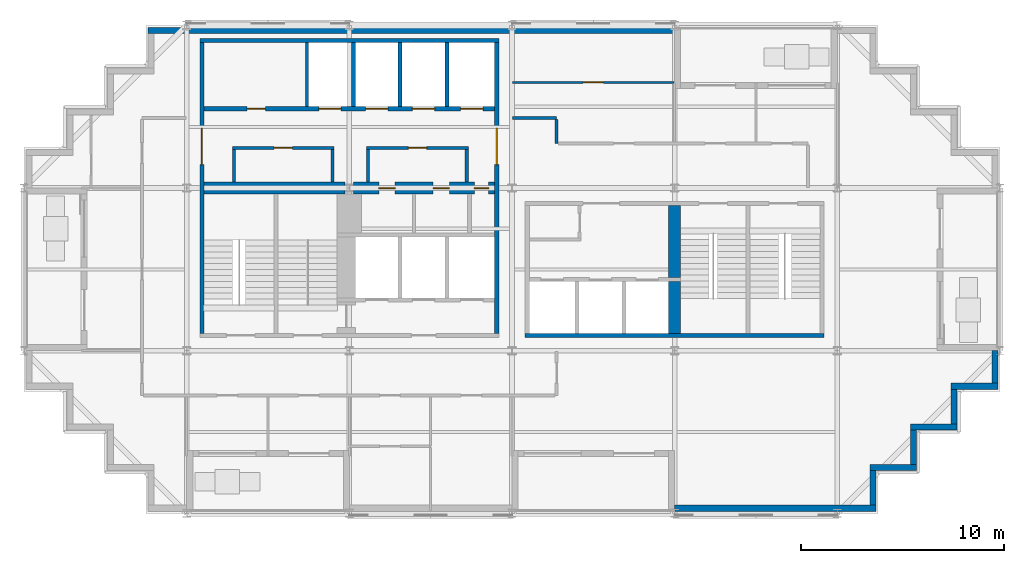
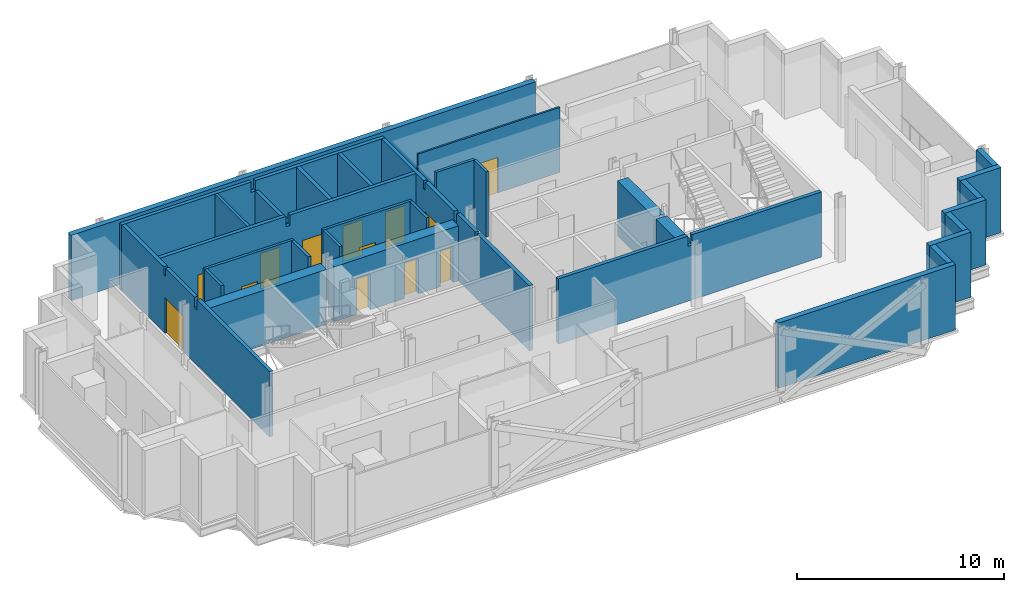
# One storey, part 4 of 8: 31 walls, 13 doors, 13 openings.
"""IFC4 building model written with IfcOpenShell, lengths in metres."""

from ifc_helpers import new_model, si_unit, direction, frame, frame_2d, origin, place, context, subcontext, project, spatial, polyline, rectangle, outline, extrude, material, layer, layer_set, type_object, element, fill, save


model = new_model("IFC4")

# Units and contexts
model_context = context("Model", 3, precision=1e-05, world=origin(), true_north=direction((0.0, 1.0)))
body_context = subcontext(model_context, "Body", "Model", "MODEL_VIEW")
ifc_project = project(units=[si_unit("LENGTHUNIT", "METRE"), si_unit("AREAUNIT", "SQUARE_METRE"), si_unit("VOLUMEUNIT", "CUBIC_METRE"), si_unit("PLANEANGLEUNIT", "RADIAN"), si_unit("MASSUNIT", "GRAM", prefix="KILO")], contexts=[model_context])

# Site, building, storey
site_placement = place(None, origin())
site = spatial("IfcSite", under=ifc_project, at=site_placement, CompositionType="ELEMENT")
building_placement = place(site_placement, origin())
building = spatial("IfcBuilding", under=site, at=building_placement, Name="Immortelle Media Tower", CompositionType="ELEMENT")
storey_placement = place(building_placement, frame((0.0, 0.0, 209.0)))
storey = spatial("IfcBuildingStorey", under=building, at=storey_placement, Name="L44", CompositionType="ELEMENT", Elevation=209.0)

# Wall, openings, doors
ifc_material_1 = material(Name="Fire-rated masonry blockwork", Category="masonry")
ifc_layer_1 = layer(ifc_material_1, 0.60009765625)
ifc_layer_set_1 = layer_set([ifc_layer_1], Name="Fire-rated masonry blockwork")
wall_type_1 = type_object("IfcWallType", Name="Core grid-line wall 600", PredefinedType="PARTITIONING", material=ifc_layer_set_1)
wall_1_placement = place(storey_placement, frame((16.20703125, 16.0, 0.0), z_axis=(0.0, 0.0, 1.0), x_axis=(1.0, 0.0, 0.0)))
wall_1 = element("IfcWall", 1, at=wall_1_placement, inside=storey, type_object=wall_type_1, Name="Core grid-line wall SW", PredefinedType="PARTITIONING", context=body_context, shape_type="SweptSolid", body=[
    extrude(rectangle(XDim=6.94287109375, YDim=0.60009765625, at=frame_2d((3.471435546875, 0.0))), origin(), (0.0, 0.0, 1.0), 3.241943359375),
])
opening_1_placement = place(wall_1_placement, frame((2.04296875, 0.0, 0.0), z_axis=(0.0, 0.0, 1.0), x_axis=(-1.0, 0.0, 0.0)))
opening_1 = element("IfcOpeningElement", 2, at=opening_1_placement, cuts=wall_1, Name="Opening O3-K010", PredefinedType="OPENING", context=body_context, shape_type="SweptSolid", body=[
    extrude(rectangle(XDim=0.800048828125, YDim=2.10009765625, at=frame_2d((0.39990234375, 1.050048828125))), frame((0.0, 0.31005859375, 0.0), z_axis=(0.0, -1.0, 0.0), x_axis=(1.0, 0.0, 0.0)), (0.0, 0.0, 1.0), 0.6201171875),
])
opening_2_placement = place(wall_1_placement, frame((3.91796875, 0.0, 0.0)))
opening_2 = element("IfcOpeningElement", 3, at=opening_2_placement, cuts=wall_1, Name="Opening O3-K015", PredefinedType="OPENING", context=body_context, shape_type="SweptSolid", body=[
    extrude(rectangle(XDim=0.800048828125, YDim=2.10009765625, at=frame_2d((0.39990234375, 1.050048828125))), frame((0.0, 0.31005859375, 0.0), z_axis=(0.0, -1.0, 0.0), x_axis=(1.0, 0.0, 0.0)), (0.0, 0.0, 1.0), 0.6201171875),
])
opening_3_placement = place(wall_1_placement, frame((6.64306640625, 0.0, 0.0), z_axis=(0.0, 0.0, 1.0), x_axis=(-1.0, 0.0, 0.0)))
opening_3 = element("IfcOpeningElement", 4, at=opening_3_placement, cuts=wall_1, Name="Opening O3-K018", PredefinedType="OPENING", context=body_context, shape_type="SweptSolid", body=[
    extrude(rectangle(XDim=0.699951171875, YDim=2.10009765625, at=frame_2d((0.35009765625, 1.050048828125))), frame((0.0, 0.31005859375, 0.0), z_axis=(0.0, -1.0, 0.0), x_axis=(1.0, 0.0, 0.0)), (0.0, 0.0, 1.0), 0.6201171875),
])
ifc_material_2 = material(Name="Galvanised steel door leaf and frame ASTM A653", Category="steel")
door_type_1 = type_object("IfcDoorType", Name="Service door 700 x 2100", OperationType="NOTDEFINED", PredefinedType="NOTDEFINED", material=ifc_material_2)
door_1_placement = place(opening_3_placement, origin())
door_1 = element("IfcDoor", 5, at=door_1_placement, inside=storey, type_object=door_type_1, Name="Service O3-K018", OperationType="SINGLE_SWING_LEFT", OverallHeight=2.10009765625, OverallWidth=0.699951171875, PredefinedType="NOTDEFINED", context=body_context, shape_type="SweptSolid", body=[
    extrude(rectangle(XDim=0.699951171875, YDim=2.10009765625, at=frame_2d((0.35009765625, 1.050048828125))), frame((0.0, 0.02490234375, 0.0), z_axis=(0.0, -1.0, 0.0), x_axis=(1.0, 0.0, 0.0)), (0.0, 0.0, 1.0), 0.050048828125),
])
fill(opening_3, door_1)
ifc_material_3 = material(Name="Timber", Category="wood")
door_type_2 = type_object("IfcDoorType", Name="Toilet door 800 x 2100", OperationType="NOTDEFINED", PredefinedType="NOTDEFINED", material=ifc_material_3)
door_2_placement = place(opening_1_placement, origin())
door_2 = element("IfcDoor", 6, at=door_2_placement, inside=storey, type_object=door_type_2, Name="Toilet O3-K010", OperationType="SINGLE_SWING_LEFT", OverallHeight=2.10009765625, OverallWidth=0.800048828125, PredefinedType="NOTDEFINED", context=body_context, shape_type="SweptSolid", body=[
    extrude(rectangle(XDim=0.800048828125, YDim=2.10009765625, at=frame_2d((0.39990234375, 1.050048828125))), frame((0.0, 0.02490234375, 0.0), z_axis=(0.0, -1.0, 0.0), x_axis=(1.0, 0.0, 0.0)), (0.0, 0.0, 1.0), 0.050048828125),
])
fill(opening_1, door_2)
door_3_placement = place(opening_2_placement, origin())
door_3 = element("IfcDoor", 7, at=door_3_placement, inside=storey, type_object=door_type_2, Name="Toilet O3-K015", OperationType="SINGLE_SWING_RIGHT", OverallHeight=2.10009765625, OverallWidth=0.800048828125, PredefinedType="NOTDEFINED", context=body_context, shape_type="SweptSolid", body=[
    extrude(rectangle(XDim=0.800048828125, YDim=2.10009765625, at=frame_2d((0.39990234375, 1.050048828125))), frame((0.0, 0.02490234375, 0.0), z_axis=(0.0, -1.0, 0.0), x_axis=(1.0, 0.0, 0.0)), (0.0, 0.0, 1.0), 0.050048828125),
])
fill(opening_2, door_3)

# Wall
ifc_material_4 = material(Name="Fire-rated gypsum board", Category="gypsum")
ifc_layer_2 = layer(ifc_material_4, 0.02490234375)
ifc_material_5 = material(Name="Steel ASTM A653 SS Gr 50 stud frame with mineral wool", Category="steel")
ifc_layer_3 = layer(ifc_material_5, 0.10009765625)
ifc_layer_4 = layer(ifc_material_4, 0.02490234375)
ifc_layer_set_2 = layer_set([ifc_layer_2, ifc_layer_3, ifc_layer_4], Name="Steel ASTM A653 SS Gr 50 stud frame with mineral wool")
wall_type_2 = type_object("IfcWallType", Name="Core partition 150", PredefinedType="PARTITIONING", material=ifc_layer_set_2)
wall_2_placement = place(storey_placement, frame((10.324951171875, 16.300048828125, 0.0), z_axis=(0.0, 0.0, 1.0), x_axis=(0.0, 1.0, 0.0)))
element("IfcWall", 8, at=wall_2_placement, inside=storey, type_object=wall_type_2, Name="Core partition SW", PredefinedType="PARTITIONING", context=body_context, shape_type="SweptSolid", body=[
    extrude(rectangle(XDim=1.599853515625, YDim=0.14990234375, at=frame_2d((0.7998046875, 0.0))), origin(), (0.0, 0.0, 1.0), 3.85009765625),
])

# Wall, opening, door
wall_3_placement = place(storey_placement, frame((10.25, 17.97509765625, 0.0), z_axis=(0.0, 0.0, 1.0), x_axis=(1.0, 0.0, 0.0)))
wall_3 = element("IfcWall", 9, at=wall_3_placement, inside=storey, type_object=wall_type_2, Name="Core partition SW", PredefinedType="PARTITIONING", context=body_context, shape_type="SweptSolid", body=[
    extrude(rectangle(XDim=5.0, YDim=0.14990234375, at=frame_2d((2.5, 0.0))), origin(), (0.0, 0.0, 1.0), 3.85009765625),
])
opening_4_placement = place(wall_3_placement, frame((2.949951171875, 0.0, 0.0), z_axis=(0.0, 0.0, 1.0), x_axis=(-1.0, 0.0, 0.0)))
opening_4 = element("IfcOpeningElement", 10, at=opening_4_placement, cuts=wall_3, Name="Opening O3-K004", PredefinedType="OPENING", context=body_context, shape_type="SweptSolid", body=[
    extrude(rectangle(XDim=0.89990234375, YDim=2.10009765625, at=frame_2d((0.449951171875, 1.050048828125))), frame((0.0, 0.0849609375, 0.0), z_axis=(0.0, -1.0, 0.0), x_axis=(1.0, 0.0, 0.0)), (0.0, 0.0, 1.0), 0.169921875),
])
door_type_3 = type_object("IfcDoorType", Name="Room door 900 x 2100", OperationType="NOTDEFINED", PredefinedType="NOTDEFINED", material=ifc_material_3)
door_4_placement = place(opening_4_placement, origin())
door_4 = element("IfcDoor", 11, at=door_4_placement, inside=storey, type_object=door_type_3, Name="Room O3-K004", OperationType="SINGLE_SWING_RIGHT", OverallHeight=2.10009765625, OverallWidth=0.89990234375, PredefinedType="NOTDEFINED", context=body_context, shape_type="SweptSolid", body=[
    extrude(rectangle(XDim=0.89990234375, YDim=2.10009765625, at=frame_2d((0.449951171875, 1.050048828125))), frame((0.0, 0.02490234375, 0.0), z_axis=(0.0, -1.0, 0.0), x_axis=(1.0, 0.0, 0.0)), (0.0, 0.0, 1.0), 0.050048828125),
])
fill(opening_4, door_4)

# Walls
wall_4_placement = place(storey_placement, frame((13.925048828125, 20.0, 0.0), z_axis=(0.0, 0.0, 1.0), x_axis=(0.0, 1.0, 0.0)))
element("IfcWall", 12, at=wall_4_placement, inside=storey, type_object=wall_type_2, Name="Core partition SW", PredefinedType="PARTITIONING", context=body_context, shape_type="SweptSolid", body=[
    extrude(rectangle(XDim=3.14990234375, YDim=0.14990234375, at=frame_2d((1.574951171875, 0.0))), origin(), (0.0, 0.0, 1.0), 3.85009765625),
])
for number, where, z_axis, x_axis, name in (
    (13, (15.175048828125, 16.300048828125, 0.0), (0.0, 0.0, 1.0), (0.0, 1.0, 0.0), "Core partition SW"),
    (14, (16.925048828125, 16.300048828125, 0.0), (0.0, 0.0, 1.0), (0.0, 1.0, 0.0), "Core partition SW"),
):
    element("IfcWall", number, at=place(storey_placement, frame(where, z_axis=z_axis, x_axis=x_axis)), inside=storey, type_object=wall_type_2, Name=name, PredefinedType="PARTITIONING", context=body_context, shape_type="SweptSolid", body=[
        extrude(rectangle(XDim=1.599853515625, YDim=0.14990234375, at=frame_2d((0.7998046875, 0.0))), origin(), (0.0, 0.0, 1.0), 3.85009765625),
    ])

# Wall, opening, door
wall_5_placement = place(storey_placement, frame((16.85009765625, 17.97509765625, 0.0), z_axis=(0.0, 0.0, 1.0), x_axis=(1.0, 0.0, 0.0)))
wall_5 = element("IfcWall", 15, at=wall_5_placement, inside=storey, type_object=wall_type_2, Name="Core partition SW", PredefinedType="PARTITIONING", context=body_context, shape_type="SweptSolid", body=[
    extrude(rectangle(XDim=5.0, YDim=0.14990234375, at=frame_2d((2.5, 0.0))), origin(), (0.0, 0.0, 1.0), 3.85009765625),
])
opening_5_placement = place(wall_5_placement, frame((2.949951171875, 0.0, 0.0), z_axis=(0.0, 0.0, 1.0), x_axis=(-1.0, 0.0, 0.0)))
opening_5 = element("IfcOpeningElement", 16, at=opening_5_placement, cuts=wall_5, Name="Opening O3-K011", PredefinedType="OPENING", context=body_context, shape_type="SweptSolid", body=[
    extrude(rectangle(XDim=0.89990234375, YDim=2.10009765625, at=frame_2d((0.449951171875, 1.050048828125))), frame((0.0, 0.0849609375, 0.0), z_axis=(0.0, -1.0, 0.0), x_axis=(1.0, 0.0, 0.0)), (0.0, 0.0, 1.0), 0.169921875),
])
door_5_placement = place(opening_5_placement, origin())
door_5 = element("IfcDoor", 17, at=door_5_placement, inside=storey, type_object=door_type_3, Name="Room O3-K011", OperationType="SINGLE_SWING_LEFT", OverallHeight=2.10009765625, OverallWidth=0.89990234375, PredefinedType="NOTDEFINED", context=body_context, shape_type="SweptSolid", body=[
    extrude(rectangle(XDim=0.89990234375, YDim=2.10009765625, at=frame_2d((0.449951171875, 1.050048828125))), frame((0.0, 0.02490234375, 0.0), z_axis=(0.0, -1.0, 0.0), x_axis=(1.0, 0.0, 0.0)), (0.0, 0.0, 1.0), 0.050048828125),
])
fill(opening_5, door_5)

# Walls
wall_6_placement = place(storey_placement, frame((21.77490234375, 16.300048828125, 0.0), z_axis=(0.0, 0.0, 1.0), x_axis=(0.0, 1.0, 0.0)))
element("IfcWall", 18, at=wall_6_placement, inside=storey, type_object=wall_type_2, Name="Core partition SW", PredefinedType="PARTITIONING", context=body_context, shape_type="SweptSolid", body=[
    extrude(rectangle(XDim=1.599853515625, YDim=0.14990234375, at=frame_2d((0.7998046875, 0.0))), origin(), (0.0, 0.0, 1.0), 3.85009765625),
])
ifc_layer_5 = layer(ifc_material_4, 0.03759765625)
ifc_layer_6 = layer(ifc_material_5, 0.125)
ifc_layer_7 = layer(ifc_material_4, 0.03759765625)
ifc_layer_set_3 = layer_set([ifc_layer_5, ifc_layer_6, ifc_layer_7], Name="Steel ASTM A653 SS Gr 50 stud frame with mineral wool")
wall_type_3 = type_object("IfcWallType", Name="Core shaft wall 200", PredefinedType="PARTITIONING", material=ifc_layer_set_3)
wall_7_placement = place(storey_placement, frame((8.64990234375, 23.25, 0.0), z_axis=(0.0, 0.0, 1.0), x_axis=(1.0, 0.0, 0.0)))
element("IfcWall", 19, at=wall_7_placement, inside=storey, type_object=wall_type_3, Name="Core shaft wall SW", PredefinedType="PARTITIONING", context=body_context, shape_type="SweptSolid", body=[
    extrude(outline(polyline([(0.0, 0.0), (14.7001953125, 0.0), (14.699951171875, 3.85009765625), (7.468994140625, 3.85009765625), (7.468017578125, 3.241943359375), (7.23193359375, 3.241943359375), (7.23095703125, 3.85009765625), (0.0, 3.85009765625), (0.0, 0.0)])), frame((0.0, 0.10009765625, 0.0), z_axis=(0.0, -1.0, 0.0), x_axis=(1.0, 0.0, 0.0)), (0.0, 0.0, 1.0), 0.199951171875),
])

# Wall, openings, doors
wall_8_placement = place(storey_placement, frame((8.85009765625, 19.89990234375, 0.0), z_axis=(0.0, 0.0, 1.0), x_axis=(1.0, 0.0, 0.0)))
wall_8 = element("IfcWall", 20, at=wall_8_placement, inside=storey, type_object=wall_type_3, Name="Core shaft wall SW", PredefinedType="PARTITIONING", context=body_context, shape_type="SweptSolid", body=[
    extrude(outline(polyline([(0.0, 0.0), (14.2998046875, 0.0), (14.300048828125, 3.85009765625), (7.26904296875, 3.85009765625), (7.26806640625, 3.241943359375), (7.031982421875, 3.241943359375), (7.031005859375, 3.85009765625), (0.0, 3.85009765625), (0.0, 0.0)])), frame((0.0, 0.10009765625, 0.0), z_axis=(0.0, -1.0, 0.0), x_axis=(1.0, 0.0, 0.0)), (0.0, 0.0, 1.0), 0.199951171875),
])
opening_6_placement = place(wall_8_placement, frame((2.125, 0.0, 0.0)))
opening_6 = element("IfcOpeningElement", 21, at=opening_6_placement, cuts=wall_8, Name="Opening O3-K003", PredefinedType="OPENING", context=body_context, shape_type="SweptSolid", body=[
    extrude(rectangle(XDim=0.89990234375, YDim=2.10009765625, at=frame_2d((0.449951171875, 1.050048828125))), frame((0.0, 0.10986328125, 0.0), z_axis=(0.0, -1.0, 0.0), x_axis=(1.0, 0.0, 0.0)), (0.0, 0.0, 1.0), 0.219970703125),
])
opening_7_placement = place(wall_8_placement, frame((5.64990234375, 0.0, 0.0)))
opening_7 = element("IfcOpeningElement", 22, at=opening_7_placement, cuts=wall_8, Name="Opening LD", PredefinedType="OPENING", context=body_context, shape_type="SweptSolid", body=[
    extrude(rectangle(XDim=1.10009765625, YDim=2.10009765625, at=frame_2d((0.550048828125, 1.050048828125))), frame((0.0, 0.10986328125, 0.0), z_axis=(0.0, -1.0, 0.0), x_axis=(1.0, 0.0, 0.0)), (0.0, 0.0, 1.0), 0.219970703125),
])
opening_8_placement = place(wall_8_placement, frame((7.949951171875, 0.0, 0.0)))
opening_8 = element("IfcOpeningElement", 23, at=opening_8_placement, cuts=wall_8, Name="Opening LD", PredefinedType="OPENING", context=body_context, shape_type="SweptSolid", body=[
    extrude(rectangle(XDim=1.10009765625, YDim=2.10009765625, at=frame_2d((0.550048828125, 1.050048828125))), frame((0.0, 0.10986328125, 0.0), z_axis=(0.0, -1.0, 0.0), x_axis=(1.0, 0.0, 0.0)), (0.0, 0.0, 1.0), 0.219970703125),
])
opening_9_placement = place(wall_8_placement, frame((10.25, 0.0, 0.0)))
opening_9 = element("IfcOpeningElement", 24, at=opening_9_placement, cuts=wall_8, Name="Opening LD", PredefinedType="OPENING", context=body_context, shape_type="SweptSolid", body=[
    extrude(rectangle(XDim=1.10009765625, YDim=2.10009765625, at=frame_2d((0.550048828125, 1.050048828125))), frame((0.0, 0.10986328125, 0.0), z_axis=(0.0, -1.0, 0.0), x_axis=(1.0, 0.0, 0.0)), (0.0, 0.0, 1.0), 0.219970703125),
])
opening_10_placement = place(wall_8_placement, frame((12.625, 0.0, 0.0)))
opening_10 = element("IfcOpeningElement", 25, at=opening_10_placement, cuts=wall_8, Name="Opening LD", PredefinedType="OPENING", context=body_context, shape_type="SweptSolid", body=[
    extrude(rectangle(XDim=1.10009765625, YDim=2.10009765625, at=frame_2d((0.550048828125, 1.050048828125))), frame((0.0, 0.10986328125, 0.0), z_axis=(0.0, -1.0, 0.0), x_axis=(1.0, 0.0, 0.0)), (0.0, 0.0, 1.0), 0.219970703125),
])
ifc_material_6 = material(Name="Stainless steel AISI 304", Category="steel")
door_type_4 = type_object("IfcDoorType", Name="Landing door 1100 x 2100", OperationType="SLIDING_TO_LEFT", PredefinedType="NOTDEFINED", material=ifc_material_6)
door_6_placement = place(opening_7_placement, origin())
door_6 = element("IfcDoor", 26, at=door_6_placement, inside=storey, type_object=door_type_4, Name="Landing door HR1 L44", OperationType="SLIDING_TO_LEFT", OverallHeight=2.10009765625, OverallWidth=1.10009765625, PredefinedType="NOTDEFINED", context=body_context, shape_type="SweptSolid", body=[
    extrude(rectangle(XDim=1.10009765625, YDim=2.10009765625, at=frame_2d((0.550048828125, 1.050048828125))), frame((0.0, 0.02490234375, 0.0), z_axis=(0.0, -1.0, 0.0), x_axis=(1.0, 0.0, 0.0)), (0.0, 0.0, 1.0), 0.050048828125),
])
fill(opening_7, door_6)
door_7_placement = place(opening_8_placement, origin())
door_7 = element("IfcDoor", 27, at=door_7_placement, inside=storey, type_object=door_type_4, Name="Landing door HR2 L44", OperationType="SLIDING_TO_LEFT", OverallHeight=2.10009765625, OverallWidth=1.10009765625, PredefinedType="NOTDEFINED", context=body_context, shape_type="SweptSolid", body=[
    extrude(rectangle(XDim=1.10009765625, YDim=2.10009765625, at=frame_2d((0.550048828125, 1.050048828125))), frame((0.0, 0.02490234375, 0.0), z_axis=(0.0, -1.0, 0.0), x_axis=(1.0, 0.0, 0.0)), (0.0, 0.0, 1.0), 0.050048828125),
])
fill(opening_8, door_7)
door_8_placement = place(opening_9_placement, origin())
door_8 = element("IfcDoor", 28, at=door_8_placement, inside=storey, type_object=door_type_4, Name="Landing door HR3 L44", OperationType="SLIDING_TO_LEFT", OverallHeight=2.10009765625, OverallWidth=1.10009765625, PredefinedType="NOTDEFINED", context=body_context, shape_type="SweptSolid", body=[
    extrude(rectangle(XDim=1.10009765625, YDim=2.10009765625, at=frame_2d((0.550048828125, 1.050048828125))), frame((0.0, 0.02490234375, 0.0), z_axis=(0.0, -1.0, 0.0), x_axis=(1.0, 0.0, 0.0)), (0.0, 0.0, 1.0), 0.050048828125),
])
fill(opening_9, door_8)
door_9_placement = place(opening_10_placement, origin())
door_9 = element("IfcDoor", 29, at=door_9_placement, inside=storey, type_object=door_type_4, Name="Landing door HR4 L44", OperationType="SLIDING_TO_LEFT", OverallHeight=2.10009765625, OverallWidth=1.10009765625, PredefinedType="NOTDEFINED", context=body_context, shape_type="SweptSolid", body=[
    extrude(rectangle(XDim=1.10009765625, YDim=2.10009765625, at=frame_2d((0.550048828125, 1.050048828125))), frame((0.0, 0.02490234375, 0.0), z_axis=(0.0, -1.0, 0.0), x_axis=(1.0, 0.0, 0.0)), (0.0, 0.0, 1.0), 0.050048828125),
])
fill(opening_10, door_9)
door_10_placement = place(opening_6_placement, origin())
door_10 = element("IfcDoor", 30, at=door_10_placement, inside=storey, type_object=door_type_3, Name="Room O3-K003", OperationType="SINGLE_SWING_RIGHT", OverallHeight=2.10009765625, OverallWidth=0.89990234375, PredefinedType="NOTDEFINED", context=body_context, shape_type="SweptSolid", body=[
    extrude(rectangle(XDim=0.89990234375, YDim=2.10009765625, at=frame_2d((0.449951171875, 1.050048828125))), frame((0.0, 0.02490234375, 0.0), z_axis=(0.0, -1.0, 0.0), x_axis=(1.0, 0.0, 0.0)), (0.0, 0.0, 1.0), 0.050048828125),
])
fill(opening_6, door_10)

# Walls
wall_9_placement = place(storey_placement, frame((16.199951171875, 20.0, 0.0), z_axis=(0.0, 0.0, 1.0), x_axis=(0.0, 1.0, 0.0)))
element("IfcWall", 31, at=wall_9_placement, inside=storey, type_object=wall_type_3, Name="Core shaft wall SW", PredefinedType="PARTITIONING", context=body_context, shape_type="SweptSolid", body=[
    extrude(rectangle(XDim=3.14990234375, YDim=0.199951171875, at=frame_2d((1.574951171875, 0.0))), origin(), (0.0, 0.0, 1.0), 3.241943359375),
])
for number, where, z_axis, x_axis, name in (
    (32, (18.5, 20.0, 0.0), (0.0, 0.0, 1.0), (0.0, 1.0, 0.0), "Core shaft wall SW"),
    (33, (20.800048828125, 20.0, 0.0), (0.0, 0.0, 1.0), (0.0, 1.0, 0.0), "Core shaft wall SW"),
):
    element("IfcWall", number, at=place(storey_placement, frame(where, z_axis=z_axis, x_axis=x_axis)), inside=storey, type_object=wall_type_3, Name=name, PredefinedType="PARTITIONING", context=body_context, shape_type="SweptSolid", body=[
        extrude(rectangle(XDim=3.14990234375, YDim=0.199951171875, at=frame_2d((1.574951171875, 0.0))), origin(), (0.0, 0.0, 1.0), 3.85009765625),
    ])

# Wall, opening, door
wall_10_placement = place(storey_placement, frame((23.25, 8.85009765625, 0.0), z_axis=(0.0, 0.0, 1.0), x_axis=(0.0, 1.0, 0.0)))
wall_10 = element("IfcWall", 34, at=wall_10_placement, inside=storey, type_object=wall_type_3, Name="Core shaft wall SW", PredefinedType="PARTITIONING", context=body_context, shape_type="SweptSolid", body=[
    extrude(outline(polyline([(0.0, 0.0), (14.2998046875, 0.0), (14.300048828125, 3.85009765625), (10.2314453125, 3.85009765625), (10.23046875, 3.388916015625), (10.069580078125, 3.388916015625), (10.068603515625, 3.85009765625), (7.26904296875, 3.85009765625), (7.26806640625, 3.241943359375), (7.031982421875, 3.241943359375), (7.031005859375, 3.85009765625), (5.2314453125, 3.85009765625), (5.23046875, 3.388916015625), (5.069580078125, 3.388916015625), (5.068603515625, 3.85009765625), (0.0, 3.85009765625), (0.0, 0.0)])), frame((0.0, 0.10009765625, 0.0), z_axis=(0.0, -1.0, 0.0), x_axis=(1.0, 0.0, 0.0)), (0.0, 0.0, 1.0), 0.199951171875),
])
opening_11_placement = place(wall_10_placement, frame((8.300048828125, 0.0, 0.0)))
opening_11 = element("IfcOpeningElement", 35, at=opening_11_placement, cuts=wall_10, Name="Opening O3-K019", PredefinedType="OPENING", context=body_context, shape_type="SweptSolid", body=[
    extrude(rectangle(XDim=1.800048828125, YDim=2.10009765625, at=frame_2d((0.89990234375, 1.050048828125))), frame((0.0, 0.10986328125, 0.0), z_axis=(0.0, -1.0, 0.0), x_axis=(1.0, 0.0, 0.0)), (0.0, 0.0, 1.0), 0.219970703125),
])
door_type_5 = type_object("IfcDoorType", Name="Lift lobby door 1800 x 2100", OperationType="DOUBLE_DOOR_SINGLE_SWING", PredefinedType="NOTDEFINED", material=ifc_material_2)
door_11_placement = place(opening_11_placement, origin())
door_11 = element("IfcDoor", 36, at=door_11_placement, inside=storey, type_object=door_type_5, Name="Lift lobby O3-K019", OperationType="DOUBLE_DOOR_SINGLE_SWING", OverallHeight=2.10009765625, OverallWidth=1.800048828125, PredefinedType="NOTDEFINED", context=body_context, shape_type="SweptSolid", body=[
    extrude(rectangle(XDim=1.800048828125, YDim=2.10009765625, at=frame_2d((0.89990234375, 1.050048828125))), frame((0.0, 0.02490234375, 0.0), z_axis=(0.0, -1.0, 0.0), x_axis=(1.0, 0.0, 0.0)), (0.0, 0.0, 1.0), 0.050048828125),
])
fill(opening_11, door_11)

# Walls
ifc_layer_8 = layer(ifc_material_4, 0.012451171875)
ifc_layer_9 = layer(ifc_material_5, 0.125)
ifc_layer_10 = layer(ifc_material_4, 0.012451171875)
ifc_layer_set_4 = layer_set([ifc_layer_8, ifc_layer_9, ifc_layer_10], Name="Steel ASTM A653 SS Gr 50 stud frame with mineral wool")
wall_type_4 = type_object("IfcWallType", Name="Corridor wall 150", PredefinedType="PARTITIONING", material=ifc_layer_set_4)
wall_11_placement = place(storey_placement, frame((26.199951171875, 18.199951171875, 0.0), z_axis=(0.0, 0.0, 1.0), x_axis=(0.0, 1.0, 0.0)))
element("IfcWall", 37, at=wall_11_placement, inside=storey, type_object=wall_type_4, Name="Partition L44-019", PredefinedType="PARTITIONING", context=body_context, shape_type="SweptSolid", body=[
    extrude(rectangle(XDim=1.175048828125, YDim=0.14990234375, at=frame_2d((0.58740234375, 0.0))), origin(), (0.0, 0.0, 1.0), 3.85009765625),
])
wall_12_placement = place(storey_placement, frame((24.030029296875, 19.449951171875, 0.0), z_axis=(0.0, 0.0, 1.0), x_axis=(1.0, 0.0, 0.0)))
element("IfcWall", 38, at=wall_12_placement, inside=storey, type_object=wall_type_4, Name="Partition L44-023", PredefinedType="PARTITIONING", context=body_context, shape_type="SweptSolid", body=[
    extrude(rectangle(XDim=2.169921875, YDim=0.14990234375, at=frame_2d((1.0849609375, 0.0))), origin(), (0.0, 0.0, 1.0), 3.85009765625),
])
ifc_material_7 = material(Name="Pale aluminium cladding panel", Category="aluminium")
ifc_layer_11 = layer(ifc_material_7, 0.030029296875)
ifc_layer_12 = layer(ifc_material_5, 0.257568359375)
ifc_material_8 = material(Name="Moisture-resistant gypsum board", Category="gypsum")
ifc_layer_13 = layer(ifc_material_8, 0.012451171875)
ifc_layer_set_5 = layer_set([ifc_layer_11, ifc_layer_12, ifc_layer_13], Name="Steel ASTM A653 SS Gr 50 stud frame with mineral wool")
wall_type_5 = type_object("IfcWallType", Name="Facade wall 300", PredefinedType="SOLIDWALL", material=ifc_layer_set_5)
wall_13_placement = place(storey_placement, frame((32.0, 0.25, 0.0), z_axis=(0.0, 0.0, 1.0), x_axis=(1.0, 0.0, 0.0)))
element("IfcWall", 39, at=wall_13_placement, inside=storey, type_object=wall_type_5, Name="Facade wall L44 S6", PredefinedType="SOLIDWALL", context=body_context, shape_type="SweptSolid", body=[
    extrude(rectangle(XDim=9.89990234375, YDim=0.300048828125, at=frame_2d((4.949951171875, 0.0))), origin(), (0.0, 0.0, 1.0), 3.85009765625),
])
wall_14_placement = place(storey_placement, frame((41.75, 0.39990234375, 0.0), z_axis=(0.0, 0.0, 1.0), x_axis=(0.0, 1.0, 0.0)))
element("IfcWall", 40, at=wall_14_placement, inside=storey, type_object=wall_type_5, Name="Facade wall L44 E7", PredefinedType="SOLIDWALL", context=body_context, shape_type="SweptSolid", body=[
    extrude(rectangle(XDim=1.7001953125, YDim=0.300048828125, at=frame_2d((0.85009765625, 0.0))), origin(), (0.0, 0.0, 1.0), 3.85009765625),
])
wall_15_placement = place(storey_placement, frame((41.60009765625, 2.25, 0.0), z_axis=(0.0, 0.0, 1.0), x_axis=(1.0, 0.0, 0.0)))
element("IfcWall", 41, at=wall_15_placement, inside=storey, type_object=wall_type_5, Name="Facade wall L44 S8", PredefinedType="SOLIDWALL", context=body_context, shape_type="SweptSolid", body=[
    extrude(rectangle(XDim=2.2998046875, YDim=0.300048828125, at=frame_2d((1.14990234375, 0.0))), origin(), (0.0, 0.0, 1.0), 3.85009765625),
])
wall_16_placement = place(storey_placement, frame((43.75, 2.39990234375, 0.0), z_axis=(0.0, 0.0, 1.0), x_axis=(0.0, 1.0, 0.0)))
element("IfcWall", 42, at=wall_16_placement, inside=storey, type_object=wall_type_5, Name="Facade wall L44 E9", PredefinedType="SOLIDWALL", context=body_context, shape_type="SweptSolid", body=[
    extrude(rectangle(XDim=1.7001953125, YDim=0.300048828125, at=frame_2d((0.85009765625, 0.0))), origin(), (0.0, 0.0, 1.0), 3.85009765625),
])
wall_17_placement = place(storey_placement, frame((43.60009765625, 4.25, 0.0), z_axis=(0.0, 0.0, 1.0), x_axis=(1.0, 0.0, 0.0)))
element("IfcWall", 43, at=wall_17_placement, inside=storey, type_object=wall_type_5, Name="Facade wall L44 S10", PredefinedType="SOLIDWALL", context=body_context, shape_type="SweptSolid", body=[
    extrude(rectangle(XDim=2.2998046875, YDim=0.300048828125, at=frame_2d((1.14990234375, 0.0))), origin(), (0.0, 0.0, 1.0), 3.85009765625),
])
wall_18_placement = place(storey_placement, frame((45.75, 4.39990234375, 0.0), z_axis=(0.0, 0.0, 1.0), x_axis=(0.0, 1.0, 0.0)))
element("IfcWall", 44, at=wall_18_placement, inside=storey, type_object=wall_type_5, Name="Facade wall L44 E11", PredefinedType="SOLIDWALL", context=body_context, shape_type="SweptSolid", body=[
    extrude(rectangle(XDim=1.7001953125, YDim=0.300048828125, at=frame_2d((0.85009765625, 0.0))), origin(), (0.0, 0.0, 1.0), 3.85009765625),
])
wall_19_placement = place(storey_placement, frame((45.60009765625, 6.25, 0.0), z_axis=(0.0, 0.0, 1.0), x_axis=(1.0, 0.0, 0.0)))
element("IfcWall", 45, at=wall_19_placement, inside=storey, type_object=wall_type_5, Name="Facade wall L44 S12", PredefinedType="SOLIDWALL", context=body_context, shape_type="SweptSolid", body=[
    extrude(rectangle(XDim=2.2998046875, YDim=0.300048828125, at=frame_2d((1.14990234375, 0.0))), origin(), (0.0, 0.0, 1.0), 3.85009765625),
])
wall_20_placement = place(storey_placement, frame((47.75, 6.39990234375, 0.0), z_axis=(0.0, 0.0, 1.0), x_axis=(0.0, 1.0, 0.0)))
element("IfcWall", 46, at=wall_20_placement, inside=storey, type_object=wall_type_5, Name="Facade wall L44 E13", PredefinedType="SOLIDWALL", context=body_context, shape_type="SweptSolid", body=[
    extrude(rectangle(XDim=1.60009765625, YDim=0.300048828125, at=frame_2d((0.800048828125, 0.0))), origin(), (0.0, 0.0, 1.0), 3.85009765625),
])
wall_21_placement = place(storey_placement, frame((32.0, 23.75, 0.0), z_axis=(0.0, 0.0, 1.0), x_axis=(-1.0, 0.0, 0.0)))
element("IfcWall", 47, at=wall_21_placement, inside=storey, type_object=wall_type_5, Name="Facade wall L44 N20", PredefinedType="SOLIDWALL", context=body_context, shape_type="SweptSolid", body=[
    extrude(rectangle(XDim=25.89990234375, YDim=0.300048828125, at=frame_2d((12.949951171875, 0.0))), origin(), (0.0, 0.0, 1.0), 3.85009765625),
])

# Wall, opening, door
ifc_material_9 = material(Name="Gypsum board", Category="gypsum")
ifc_layer_14 = layer(ifc_material_9, 0.012451171875)
ifc_layer_15 = layer(ifc_material_5, 0.074951171875)
ifc_layer_16 = layer(ifc_material_9, 0.012451171875)
ifc_layer_set_6 = layer_set([ifc_layer_14, ifc_layer_15, ifc_layer_16], Name="Steel ASTM A653 SS Gr 50 stud frame with mineral wool")
wall_type_6 = type_object("IfcWallType", Name="Partition 100", PredefinedType="PARTITIONING", material=ifc_layer_set_6)
wall_22_placement = place(storey_placement, frame((24.030029296875, 21.199951171875, 0.0), z_axis=(0.0, 0.0, 1.0), x_axis=(1.0, 0.0, 0.0)))
wall_22 = element("IfcWall", 48, at=wall_22_placement, inside=storey, type_object=wall_type_6, Name="Partition L44-024", PredefinedType="PARTITIONING", context=body_context, shape_type="SweptSolid", body=[
    extrude(rectangle(XDim=7.93994140625, YDim=0.10009765625, at=frame_2d((3.969970703125, 0.0))), origin(), (0.0, 0.0, 1.0), 3.85009765625),
])
opening_12_placement = place(wall_22_placement, frame((3.469970703125, 0.0, 0.0)))
opening_12 = element("IfcOpeningElement", 49, at=opening_12_placement, cuts=wall_22, Name="Opening O3-F014", PredefinedType="OPENING", context=body_context, shape_type="SweptSolid", body=[
    extrude(rectangle(XDim=1.0, YDim=2.10009765625, at=frame_2d((0.5, 1.050048828125))), frame((0.0, 0.06005859375, 0.0), z_axis=(0.0, -1.0, 0.0), x_axis=(1.0, 0.0, 0.0)), (0.0, 0.0, 1.0), 0.1201171875),
])
ifc_material_10 = material(Name="Timber veneered door leaf, galvanised steel frame ASTM A653", Category="steel")
door_type_6 = type_object("IfcDoorType", Name="Room door 1000 x 2100", OperationType="NOTDEFINED", PredefinedType="DOOR", material=ifc_material_10)
door_12_placement = place(opening_12_placement, origin())
door_12 = element("IfcDoor", 50, at=door_12_placement, inside=storey, type_object=door_type_6, Name="Door O3-F014", OperationType="SINGLE_SWING_LEFT", OverallHeight=2.10009765625, OverallWidth=1.0, PredefinedType="DOOR", context=body_context, shape_type="SweptSolid", body=[
    extrude(rectangle(XDim=1.0, YDim=2.10009765625, at=frame_2d((0.5, 1.050048828125))), frame((0.0, 0.02490234375, 0.0), z_axis=(0.0, -1.0, 0.0), x_axis=(1.0, 0.0, 0.0)), (0.0, 0.0, 1.0), 0.050048828125),
])
fill(opening_12, door_12)

ifc_material_11 = material(Name="Concrete C60", Category="concrete")
ifc_layer_17 = layer(ifc_material_11, 0.199951171875)
ifc_layer_set_7 = layer_set([ifc_layer_17], Name="Concrete C60")
wall_type_7 = type_object("IfcWallType", Name="Stair shaft wall 200", PredefinedType="PARTITIONING", material=ifc_layer_set_7)
wall_23_placement = place(storey_placement, frame((8.75, 8.85009765625, 0.0), z_axis=(0.0, 0.0, 1.0), x_axis=(0.0, 1.0, 0.0)))
wall_23 = element("IfcWall", 51, at=wall_23_placement, inside=storey, type_object=wall_type_7, Name="Stair shaft wall SW", PredefinedType="PARTITIONING", context=body_context, shape_type="SweptSolid", body=[
    extrude(outline(polyline([(0.0, 0.0), (14.2998046875, 0.0), (14.300048828125, 3.85009765625), (10.2314453125, 3.85009765625), (10.23046875, 3.388916015625), (10.069580078125, 3.388916015625), (10.068603515625, 3.85009765625), (7.26904296875, 3.85009765625), (7.26806640625, 3.241943359375), (7.031982421875, 3.241943359375), (7.031005859375, 3.85009765625), (0.0, 3.85009765625), (0.0, 0.0)])), frame((0.0, 0.10009765625, 0.0), z_axis=(0.0, -1.0, 0.0), x_axis=(1.0, 0.0, 0.0)), (0.0, 0.0, 1.0), 0.199951171875),
])
opening_13_placement = place(wall_23_placement, frame((8.300048828125, 0.0, 0.0)))
opening_13 = element("IfcOpeningElement", 52, at=opening_13_placement, cuts=wall_23, Name="Opening O3-K001", PredefinedType="OPENING", context=body_context, shape_type="SweptSolid", body=[
    extrude(rectangle(XDim=1.800048828125, YDim=2.10009765625, at=frame_2d((0.89990234375, 1.050048828125))), frame((0.0, 0.10986328125, 0.0), z_axis=(0.0, -1.0, 0.0), x_axis=(1.0, 0.0, 0.0)), (0.0, 0.0, 1.0), 0.219970703125),
])
door_13_placement = place(opening_13_placement, origin())
door_13 = element("IfcDoor", 53, at=door_13_placement, inside=storey, type_object=door_type_5, Name="Lift lobby O3-K001", OperationType="DOUBLE_DOOR_SINGLE_SWING", OverallHeight=2.10009765625, OverallWidth=1.800048828125, PredefinedType="NOTDEFINED", context=body_context, shape_type="SweptSolid", body=[
    extrude(rectangle(XDim=1.800048828125, YDim=2.10009765625, at=frame_2d((0.89990234375, 1.050048828125))), frame((0.0, 0.02490234375, 0.0), z_axis=(0.0, -1.0, 0.0), x_axis=(1.0, 0.0, 0.0)), (0.0, 0.0, 1.0), 0.050048828125),
])
fill(opening_13, door_13)

# Walls
wall_24_placement = place(storey_placement, frame((24.64990234375, 8.75, 0.0), z_axis=(0.0, 0.0, 1.0), x_axis=(1.0, 0.0, 0.0)))
element("IfcWall", 54, at=wall_24_placement, inside=storey, type_object=wall_type_7, Name="Stair shaft wall SE", PredefinedType="PARTITIONING", context=body_context, shape_type="SweptSolid", body=[
    extrude(outline(polyline([(0.0, 0.0), (14.7001953125, 0.0), (14.699951171875, 3.85009765625), (7.468994140625, 3.85009765625), (7.468017578125, 3.241943359375), (7.23193359375, 3.241943359375), (7.23095703125, 3.85009765625), (0.0, 3.85009765625), (0.0, 0.0)])), frame((0.0, 0.10009765625, 0.0), z_axis=(0.0, -1.0, 0.0), x_axis=(1.0, 0.0, 0.0)), (0.0, 0.0, 1.0), 0.199951171875),
])
ifc_layer_18 = layer(ifc_material_11, 0.60009765625)
ifc_layer_set_8 = layer_set([ifc_layer_18], Name="Concrete C60")
wall_type_8 = type_object("IfcWallType", Name="Stair shaft wall 600", PredefinedType="PARTITIONING", material=ifc_layer_set_8)
wall_25_placement = place(storey_placement, frame((8.85009765625, 16.0, 0.0), z_axis=(0.0, 0.0, 1.0), x_axis=(1.0, 0.0, 0.0)))
element("IfcWall", 55, at=wall_25_placement, inside=storey, type_object=wall_type_8, Name="Stair shaft wall SW", PredefinedType="PARTITIONING", context=body_context, shape_type="SweptSolid", body=[
    extrude(rectangle(XDim=6.94287109375, YDim=0.60009765625, at=frame_2d((3.471435546875, 0.0))), origin(), (0.0, 0.0, 1.0), 3.241943359375),
])
wall_26_placement = place(storey_placement, frame((32.0, 8.85009765625, 0.0), z_axis=(0.0, 0.0, 1.0), x_axis=(0.0, 1.0, 0.0)))
element("IfcWall", 56, at=wall_26_placement, inside=storey, type_object=wall_type_8, Name="Stair shaft wall SE", PredefinedType="PARTITIONING", context=body_context, shape_type="SweptSolid", body=[
    extrude(rectangle(XDim=2.5498046875, YDim=0.60009765625, at=frame_2d((1.27490234375, 0.0))), origin(), (0.0, 0.0, 1.0), 3.241943359375),
])
wall_27_placement = place(storey_placement, frame((32.0, 11.60009765625, 0.0), z_axis=(0.0, 0.0, 1.0), x_axis=(0.0, 1.0, 0.0)))
element("IfcWall", 57, at=wall_27_placement, inside=storey, type_object=wall_type_8, Name="Stair shaft wall SE", PredefinedType="PARTITIONING", context=body_context, shape_type="SweptSolid", body=[
    extrude(rectangle(XDim=3.5498046875, YDim=0.60009765625, at=frame_2d((1.77490234375, 0.0))), origin(), (0.0, 0.0, 1.0), 3.241943359375),
])

save(model, "model.ifc")
